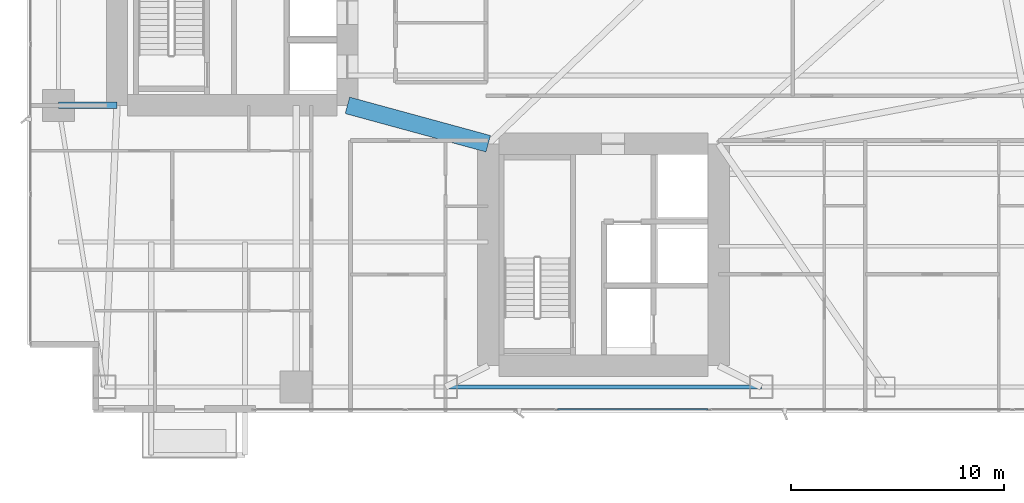
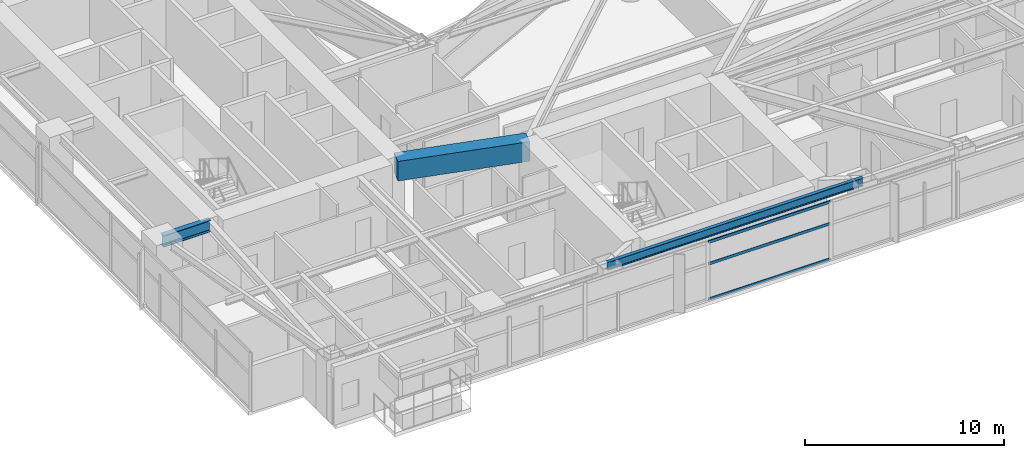
# One storey, part 7 of 30: 3 beams, 3 members, 1 element without a shape of its own.
"""IFC4 building model written with IfcOpenShell, lengths in metres."""

from ifc_helpers import new_model, si_unit, direction, frame, origin, origin_2d, place, context, subcontext, project, spatial, rectangle, hollow_rectangle, i_section, extrude, material, layer, layer_set, material_profile, profile_set, type_object, element, aggregate, save


model = new_model("IFC4")

# Units and contexts
model_context = context("Model", 3, precision=1e-05, world=origin(), true_north=direction((0.0, 1.0)))
body_context = subcontext(model_context, "Body", "Model", "MODEL_VIEW")
ifc_project = project(units=[si_unit("LENGTHUNIT", "METRE"), si_unit("AREAUNIT", "SQUARE_METRE"), si_unit("VOLUMEUNIT", "CUBIC_METRE"), si_unit("PLANEANGLEUNIT", "RADIAN"), si_unit("MASSUNIT", "GRAM", prefix="KILO")], contexts=[model_context])

# Site, building, storey
site_placement = place(None, origin())
site = spatial("IfcSite", under=ifc_project, at=site_placement, CompositionType="ELEMENT")
building_placement = place(site_placement, origin())
building = spatial("IfcBuilding", under=site, at=building_placement, Name="Calvorn Quay Hotel", CompositionType="ELEMENT")
storey_placement = place(building_placement, frame((0.0, 0.0, 30.800048828125)))
storey = spatial("IfcBuildingStorey", under=building, at=storey_placement, Name="L06", CompositionType="ELEMENT", Elevation=30.800048828125)

# Beams
ifc_material_1 = material(Name="Steel Q390GJC", Category="steel")
ifc_material_profile_1 = material_profile(ifc_material_1, i_section(OverallWidth=0.300048828125, OverallDepth=0.699951171875, WebThickness=0.012939453125, FlangeThickness=0.02392578125, FilletRadius=0.02392578125, at=origin_2d()), Name="HN700x300x13x24")
ifc_profile_set_1 = profile_set([ifc_material_profile_1], Name="Steel Q390GJC")
beam_type_1 = type_object("IfcBeamType", Name="BM-GIRD-MAIN", PredefinedType="BEAM", material=ifc_profile_set_1)
beam_1_placement = place(storey_placement, frame((1.449951171875, 16.800048828125, 3.18994140625), z_axis=(1.0, 0.0, 0.0), x_axis=(0.0, 1.0, 0.0)))
element("IfcBeam", 1, at=beam_1_placement, inside=storey, type_object=beam_type_1, Name="Beam BG-L06-W1", PredefinedType="BEAM", context=body_context, shape_type="SweptSolid", body=[
    extrude(i_section(OverallWidth=0.300048828125, OverallDepth=0.699951171875, WebThickness=0.012939453125, FlangeThickness=0.02392578125, FilletRadius=0.02392578125, at=origin_2d()), origin(), (0.0, 0.0, 1.0), 2.75),
])
ifc_material_2 = material(Name="Concrete C60", Category="concrete")
ifc_material_profile_2 = material_profile(ifc_material_2, rectangle(XDim=0.800048828125, YDim=1.199951171875, at=origin_2d()), Name="RCB800x1200")
ifc_profile_set_2 = profile_set([ifc_material_profile_2], Name="Concrete C60")
beam_type_2 = type_object("IfcBeamType", Name="BM-RC-LINK-800x1200", PredefinedType="BEAM", material=ifc_profile_set_2)
beam_2_placement = place(storey_placement, frame((15.0, 16.800048828125, 2.93994140625), z_axis=(0.964762997686, -0.263120425462, 0.0), x_axis=(0.263120425462, 0.964762997686, 0.0)))
element("IfcBeam", 2, at=beam_2_placement, inside=storey, type_object=beam_type_2, Name="Beam BCL-L06-01", PredefinedType="BEAM", context=body_context, shape_type="SweptSolid", body=[
    extrude(rectangle(XDim=0.800048828125, YDim=1.199951171875, at=origin_2d()), origin(), (0.0, 0.0, 1.0), 6.841064453125),
])
ifc_material_3 = material(Name="Steel Q355B", Category="steel")
ifc_material_profile_3 = material_profile(ifc_material_3, i_section(OverallWidth=0.199951171875, OverallDepth=0.5, WebThickness=0.010009765625, FlangeThickness=0.01611328125, FilletRadius=0.01611328125, at=origin_2d()), Name="HN500x200x10x16")
ifc_profile_set_3 = profile_set([ifc_material_profile_3], Name="Steel Q355B")
beam_type_3 = type_object("IfcBeamType", Name="BM-SPANDREL-Z1", PredefinedType="SPANDREL", material=ifc_profile_set_3)
beam_3_placement = place(storey_placement, frame((19.60009765625, 3.60009765625, 3.2900390625), z_axis=(1.0, 0.0, 0.0), x_axis=(0.0, 1.0, 0.0)))
element("IfcBeam", 3, at=beam_3_placement, inside=storey, type_object=beam_type_3, Name="Beam BSP-L06-S3", PredefinedType="SPANDREL", context=body_context, shape_type="SweptSolid", body=[
    extrude(i_section(OverallWidth=0.199951171875, OverallDepth=0.5, WebThickness=0.010009765625, FlangeThickness=0.01611328125, FilletRadius=0.01611328125, at=origin_2d()), origin(), (0.0, 0.0, 1.0), 14.7998046875),
])

# Curtain wall, members
ifc_material_4 = material(Name="Pale Anodised Aluminium and Low-E Glass", Category="aluminium")
ifc_layer = layer(ifc_material_4, 0.219970703125)
ifc_layer_set = layer_set([ifc_layer], Name="CW-SYS-Z1")
curtain_wall_type = type_object("IfcCurtainWallType", Name="CW-SYS-Z1", PredefinedType="NOTDEFINED", material=ifc_layer_set)
curtain_wall_placement = place(storey_placement, origin())
curtain_wall = element("IfcCurtainWall", 4, at=curtain_wall_placement, inside=storey, type_object=curtain_wall_type, Name="Tower South Waterfront Curtain Wall (L06)", PredefinedType="NOTDEFINED")
ifc_material_5 = material(Name="Pale Anodised Aluminium 6063-T6", Category="aluminium")
ifc_material_profile_4 = material_profile(ifc_material_5, hollow_rectangle(XDim=0.06494140625, YDim=0.1650390625, WallThickness=0.00341796875, at=origin_2d()), Name="ALU-T165x65x3.5")
ifc_profile_set_4 = profile_set([ifc_material_profile_4], Name="Pale Anodised Aluminium 6063-T6")
member_type = type_object("IfcMemberType", Name="CW-SYS-Z1-TRN", PredefinedType="USERDEFINED", material=ifc_profile_set_4)
member_1_placement = place(storey_placement, frame((24.858642578125, 2.550048828125, 0.030029296875), z_axis=(1.0, 0.0, 0.0), x_axis=(0.0, 1.0, 0.0)))
member_1 = element("IfcMember", 5, at=member_1_placement, type_object=member_type, Name="CW-L06-S transom 3.1", ObjectType="TRANSOM", PredefinedType="USERDEFINED", context=body_context, shape_type="SweptSolid", body=[
    extrude(hollow_rectangle(XDim=0.06494140625, YDim=0.1650390625, WallThickness=0.00341796875, at=origin_2d()), origin(), (0.0, 0.0, 1.0), 7.05419921875),
])
member_2_placement = place(storey_placement, frame((24.858642578125, 2.550048828125, 2.199951171875), z_axis=(1.0, 0.0, 0.0), x_axis=(0.0, 1.0, 0.0)))
member_2 = element("IfcMember", 6, at=member_2_placement, type_object=member_type, Name="CW-L06-S transom 3.2", ObjectType="TRANSOM", PredefinedType="USERDEFINED", context=body_context, shape_type="SweptSolid", body=[
    extrude(hollow_rectangle(XDim=0.06494140625, YDim=0.1650390625, WallThickness=0.00341796875, at=origin_2d()), origin(), (0.0, 0.0, 1.0), 7.05419921875),
])
member_3_placement = place(storey_placement, frame((24.858642578125, 2.550048828125, 3.530029296875), z_axis=(1.0, 0.0, 0.0), x_axis=(0.0, 1.0, 0.0)))
member_3 = element("IfcMember", 7, at=member_3_placement, type_object=member_type, Name="CW-L06-S transom 3.3", ObjectType="TRANSOM", PredefinedType="USERDEFINED", context=body_context, shape_type="SweptSolid", body=[
    extrude(hollow_rectangle(XDim=0.06494140625, YDim=0.1650390625, WallThickness=0.00341796875, at=origin_2d()), origin(), (0.0, 0.0, 1.0), 7.05419921875),
])
aggregate(curtain_wall, [member_1, member_2, member_3])

save(model, "model.ifc")
